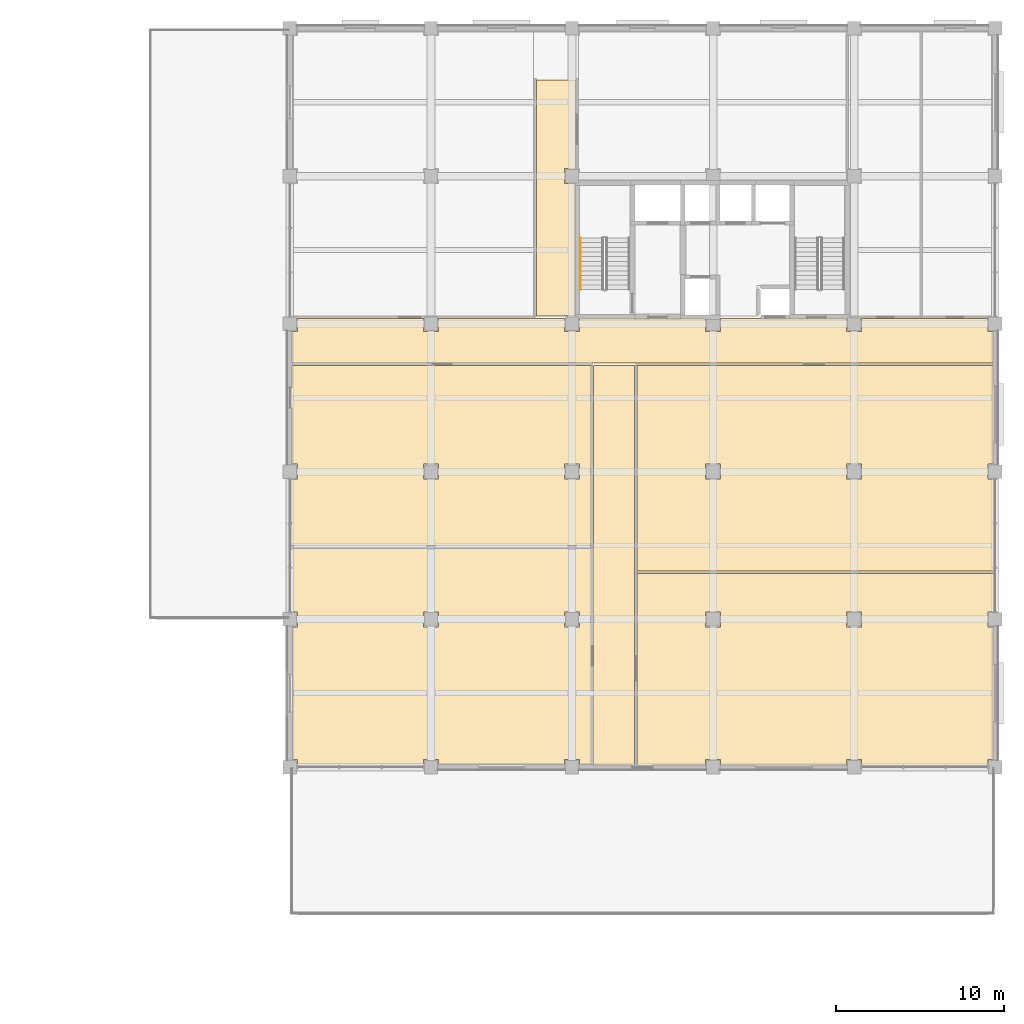
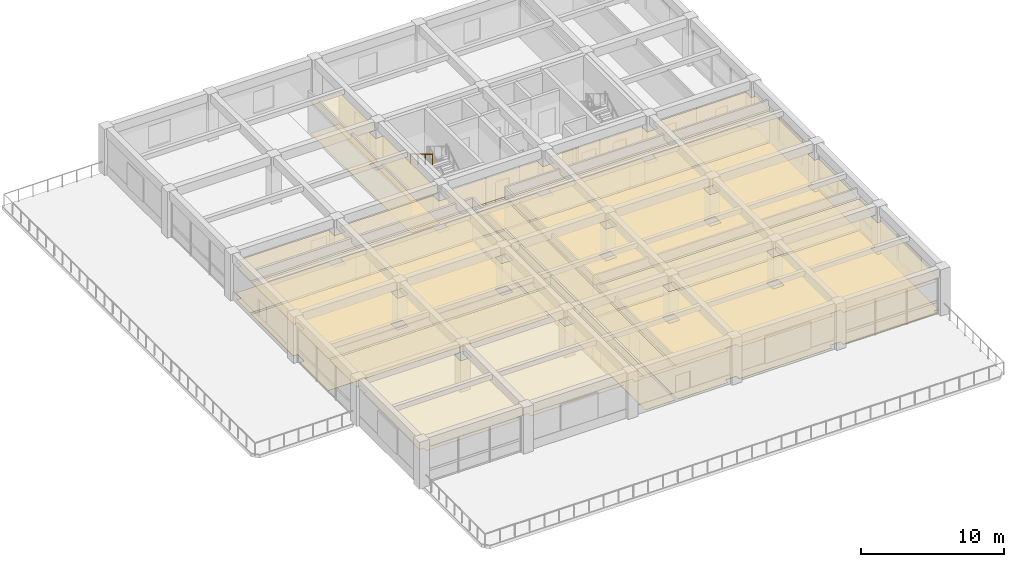
# One storey, part 47 of 49: 13 coverings, 1 railing.
"""IFC4 building model written with IfcOpenShell, lengths in metres."""

from ifc_helpers import new_model, si_unit, direction, frame, origin, origin_2d, place, context, subcontext, project, spatial, polyline, circle, outline, extrude, material, layer, layer_set, type_object, element, save


model = new_model("IFC4")

# Units and contexts
model_context = context("Model", 3, precision=1e-05, world=origin(), true_north=direction((0.0, 1.0)))
body_context = subcontext(model_context, "Body", "Model", "MODEL_VIEW")
ifc_project = project(units=[si_unit("LENGTHUNIT", "METRE"), si_unit("AREAUNIT", "SQUARE_METRE"), si_unit("VOLUMEUNIT", "CUBIC_METRE"), si_unit("PLANEANGLEUNIT", "RADIAN"), si_unit("MASSUNIT", "GRAM", prefix="KILO")], contexts=[model_context])

# Site, building, storey
site_placement = place(None, origin())
site = spatial("IfcSite", under=ifc_project, at=site_placement, CompositionType="ELEMENT")
building_placement = place(site_placement, origin())
building = spatial("IfcBuilding", under=site, at=building_placement, Name="Kemercrest Conservatory and Botanical Centre", CompositionType="ELEMENT")
storey_placement = place(building_placement, frame((0.0, 0.0, 13.199951171875)))
storey = spatial("IfcBuildingStorey", under=building, at=storey_placement, Name="L03", CompositionType="ELEMENT", Elevation=13.199951171875)

# Coverings
ifc_material_1 = material(Name="Perforated acoustic gypsum and mineral-fibre suspended ceiling", Category="gypsum")
ifc_layer_1 = layer(ifc_material_1, 0.034912109375)
ifc_layer_set_1 = layer_set([ifc_layer_1], Name="Perforated acoustic gypsum and mineral-fibre suspended ceiling")
covering_type_1 = type_object("IfcCoveringType", Name="CV-CLG035", PredefinedType="CEILING", material=ifc_layer_set_1)
covering_1_placement = place(storey_placement, frame((0.0, 0.0, 2.699951171875)))
element("IfcCovering", 1, at=covering_1_placement, inside=storey, type_object=covering_type_1, Name="Level L03 Research Corridor suspended acoustic ceiling", PredefinedType="CEILING", context=body_context, shape_type="SweptSolid", body=[
    extrude(outline(polyline([(134.080078125, 102.47998046875), (175.919921875, 102.47998046875), (175.919921875, 104.360107421875), (175.56005859375, 104.360107421875), (175.56005859375, 105.1201171875), (168.0400390625, 105.1201171875), (168.0400390625, 104.360107421875), (167.159912109375, 104.360107421875), (167.159912109375, 105.1201171875), (159.639892578125, 105.1201171875), (159.639892578125, 104.360107421875), (158.760009765625, 104.360107421875), (158.760009765625, 105.1201171875), (151.239990234375, 105.1201171875), (151.239990234375, 104.360107421875), (150.360107421875, 104.360107421875), (150.360107421875, 105.1201171875), (142.840087890625, 105.1201171875), (142.840087890625, 104.360107421875), (141.9599609375, 104.360107421875), (141.9599609375, 105.1201171875), (134.43994140625, 105.1201171875), (134.43994140625, 104.360107421875), (134.080078125, 104.360107421875), (134.080078125, 102.47998046875)])), origin(), (0.0, 0.0, 1.0), 0.03515625),
])
covering_2_placement = place(storey_placement, frame((0.0, 0.0, 2.699951171875)))
element("IfcCovering", 2, at=covering_2_placement, inside=storey, type_object=covering_type_1, Name="South Lab Corridor suspended acoustic ceiling", PredefinedType="CEILING", context=body_context, shape_type="SweptSolid", body=[
    extrude(outline(polyline([(152.080078125, 78.47998046875), (154.52001953125, 78.47998046875), (154.52001953125, 102.320068359375), (152.080078125, 102.320068359375), (152.080078125, 78.47998046875)])), origin(), (0.0, 0.0, 1.0), 0.03515625),
])
covering_3_placement = place(storey_placement, frame((0.0, 0.0, 2.699951171875)))
element("IfcCovering", 3, at=covering_3_placement, inside=storey, type_object=covering_type_1, Name="Plant Pathology Research Laboratory suspended acoustic ceiling", PredefinedType="CEILING", context=body_context, shape_type="SweptSolid", body=[
    extrude(outline(polyline([(150.360107421875, 78.840087890625), (151.239990234375, 78.840087890625), (151.239990234375, 78.47998046875), (151.919921875, 78.47998046875), (151.919921875, 91.419921875), (134.080078125, 91.419921875), (134.080078125, 87.639892578125), (134.43994140625, 87.639892578125), (134.43994140625, 86.760009765625), (134.080078125, 86.760009765625), (134.080078125, 78.840087890625), (134.43994140625, 78.840087890625), (134.43994140625, 78.47998046875), (141.9599609375, 78.47998046875), (141.9599609375, 78.840087890625), (142.840087890625, 78.840087890625), (142.840087890625, 78.47998046875), (150.360107421875, 78.47998046875), (150.360107421875, 78.840087890625)]), holes=[polyline([(151.239990234375, 87.639892578125), (151.239990234375, 86.760009765625), (150.360107421875, 86.760009765625), (150.360107421875, 87.639892578125), (151.239990234375, 87.639892578125)]), polyline([(142.840087890625, 87.639892578125), (142.840087890625, 86.760009765625), (141.9599609375, 86.760009765625), (141.9599609375, 87.639892578125), (142.840087890625, 87.639892578125)])]), origin(), (0.0, 0.0, 1.0), 0.03515625),
])
covering_4_placement = place(storey_placement, frame((0.0, 0.0, 2.699951171875)))
element("IfcCovering", 4, at=covering_4_placement, inside=storey, type_object=covering_type_1, Name="Tissue Culture Research Laboratory suspended acoustic ceiling", PredefinedType="CEILING", context=body_context, shape_type="SweptSolid", body=[
    extrude(outline(polyline([(134.43994140625, 95.56005859375), (134.080078125, 95.56005859375), (134.080078125, 91.580078125), (151.919921875, 91.580078125), (151.919921875, 102.320068359375), (134.080078125, 102.320068359375), (134.080078125, 96.43994140625), (134.43994140625, 96.43994140625), (134.43994140625, 95.56005859375)]), holes=[polyline([(151.239990234375, 96.43994140625), (151.239990234375, 95.56005859375), (150.360107421875, 95.56005859375), (150.360107421875, 96.43994140625), (151.239990234375, 96.43994140625)]), polyline([(142.840087890625, 96.43994140625), (142.840087890625, 95.56005859375), (141.9599609375, 95.56005859375), (141.9599609375, 96.43994140625), (142.840087890625, 96.43994140625)])]), origin(), (0.0, 0.0, 1.0), 0.03515625),
])
covering_5_placement = place(storey_placement, frame((0.0, 0.0, 2.699951171875)))
element("IfcCovering", 5, at=covering_5_placement, inside=storey, type_object=covering_type_1, Name="Botanical Seminar and Terrace Lounge suspended acoustic ceiling", PredefinedType="CEILING", context=body_context, shape_type="SweptSolid", body=[
    extrude(outline(polyline([(167.159912109375, 78.840087890625), (168.0400390625, 78.840087890625), (168.0400390625, 78.47998046875), (175.56005859375, 78.47998046875), (175.56005859375, 78.840087890625), (175.919921875, 78.840087890625), (175.919921875, 86.760009765625), (175.56005859375, 86.760009765625), (175.56005859375, 87.639892578125), (175.919921875, 87.639892578125), (175.919921875, 89.919921875), (154.679931640625, 89.919921875), (154.679931640625, 78.47998046875), (158.760009765625, 78.47998046875), (158.760009765625, 78.840087890625), (159.639892578125, 78.840087890625), (159.639892578125, 78.47998046875), (167.159912109375, 78.47998046875), (167.159912109375, 78.840087890625)]), holes=[polyline([(167.159912109375, 87.639892578125), (168.0400390625, 87.639892578125), (168.0400390625, 86.760009765625), (167.159912109375, 86.760009765625), (167.159912109375, 87.639892578125)]), polyline([(159.639892578125, 87.639892578125), (159.639892578125, 86.760009765625), (158.760009765625, 86.760009765625), (158.760009765625, 87.639892578125), (159.639892578125, 87.639892578125)])]), origin(), (0.0, 0.0, 1.0), 0.03515625),
])
covering_6_placement = place(storey_placement, frame((0.0, 0.0, 2.699951171875)))
element("IfcCovering", 6, at=covering_6_placement, inside=storey, type_object=covering_type_1, Name="Bioinformatics Studio suspended acoustic ceiling", PredefinedType="CEILING", context=body_context, shape_type="SweptSolid", body=[
    extrude(outline(polyline([(175.919921875, 102.320068359375), (154.679931640625, 102.320068359375), (154.679931640625, 90.080078125), (175.919921875, 90.080078125), (175.919921875, 95.56005859375), (175.56005859375, 95.56005859375), (175.56005859375, 96.43994140625), (175.919921875, 96.43994140625), (175.919921875, 102.320068359375)]), holes=[polyline([(168.0400390625, 96.43994140625), (168.0400390625, 95.56005859375), (167.159912109375, 95.56005859375), (167.159912109375, 96.43994140625), (168.0400390625, 96.43994140625)]), polyline([(159.639892578125, 96.43994140625), (159.639892578125, 95.56005859375), (158.760009765625, 95.56005859375), (158.760009765625, 96.43994140625), (159.639892578125, 96.43994140625)])]), origin(), (0.0, 0.0, 1.0), 0.03515625),
])
covering_7_placement = place(storey_placement, frame((0.0, 0.0, 2.699951171875)))
element("IfcCovering", 7, at=covering_7_placement, inside=storey, type_object=covering_type_1, Name="North Core Lobby Branch suspended acoustic ceiling", PredefinedType="CEILING", context=body_context, shape_type="SweptSolid", body=[
    extrude(outline(polyline([(148.679931640625, 105.280029296875), (151.02001953125, 105.280029296875), (151.02001953125, 113.159912109375), (150.360107421875, 113.159912109375), (150.360107421875, 114.0400390625), (151.02001953125, 114.0400390625), (151.02001953125, 119.320068359375), (148.679931640625, 119.320068359375), (148.679931640625, 105.280029296875)])), origin(), (0.0, 0.0, 1.0), 0.03515625),
])
ifc_material_2 = material(Name="Polished limestone terrazzo and seamless laboratory epoxy flooring", Category="masonry")
ifc_layer_2 = layer(ifc_material_2, 0.02001953125)
ifc_layer_set_2 = layer_set([ifc_layer_2], Name="Polished limestone terrazzo and seamless laboratory epoxy flooring")
covering_type_2 = type_object("IfcCoveringType", Name="CV-FLR020", PredefinedType="FLOORING", material=ifc_layer_set_2)
covering_8_placement = place(storey_placement, origin())
element("IfcCovering", 8, at=covering_8_placement, inside=storey, type_object=covering_type_2, Name="Level L03 Research Corridor floor finish", PredefinedType="FLOORING", context=body_context, shape_type="SweptSolid", body=[
    extrude(outline(polyline([(134.080078125, 102.47998046875), (175.919921875, 102.47998046875), (175.919921875, 104.360107421875), (175.56005859375, 104.360107421875), (175.56005859375, 105.1201171875), (168.0400390625, 105.1201171875), (168.0400390625, 104.360107421875), (167.159912109375, 104.360107421875), (167.159912109375, 105.1201171875), (159.639892578125, 105.1201171875), (159.639892578125, 104.360107421875), (158.760009765625, 104.360107421875), (158.760009765625, 105.1201171875), (151.239990234375, 105.1201171875), (151.239990234375, 104.360107421875), (150.360107421875, 104.360107421875), (150.360107421875, 105.1201171875), (142.840087890625, 105.1201171875), (142.840087890625, 104.360107421875), (141.9599609375, 104.360107421875), (141.9599609375, 105.1201171875), (134.43994140625, 105.1201171875), (134.43994140625, 104.360107421875), (134.080078125, 104.360107421875), (134.080078125, 102.47998046875)])), origin(), (0.0, 0.0, 1.0), 0.02001953125),
])
covering_9_placement = place(storey_placement, origin())
element("IfcCovering", 9, at=covering_9_placement, inside=storey, type_object=covering_type_2, Name="South Lab Corridor floor finish", PredefinedType="FLOORING", context=body_context, shape_type="SweptSolid", body=[
    extrude(outline(polyline([(152.080078125, 78.47998046875), (154.52001953125, 78.47998046875), (154.52001953125, 102.320068359375), (152.080078125, 102.320068359375), (152.080078125, 78.47998046875)])), origin(), (0.0, 0.0, 1.0), 0.02001953125),
])
covering_10_placement = place(storey_placement, origin())
element("IfcCovering", 10, at=covering_10_placement, inside=storey, type_object=covering_type_2, Name="Tissue Culture Research Laboratory floor finish", PredefinedType="FLOORING", context=body_context, shape_type="SweptSolid", body=[
    extrude(outline(polyline([(134.43994140625, 95.56005859375), (134.080078125, 95.56005859375), (134.080078125, 91.580078125), (151.919921875, 91.580078125), (151.919921875, 102.320068359375), (134.080078125, 102.320068359375), (134.080078125, 96.43994140625), (134.43994140625, 96.43994140625), (134.43994140625, 95.56005859375)]), holes=[polyline([(151.239990234375, 96.43994140625), (151.239990234375, 95.56005859375), (150.360107421875, 95.56005859375), (150.360107421875, 96.43994140625), (151.239990234375, 96.43994140625)]), polyline([(142.840087890625, 96.43994140625), (142.840087890625, 95.56005859375), (141.9599609375, 95.56005859375), (141.9599609375, 96.43994140625), (142.840087890625, 96.43994140625)])]), origin(), (0.0, 0.0, 1.0), 0.02001953125),
])
covering_11_placement = place(storey_placement, origin())
element("IfcCovering", 11, at=covering_11_placement, inside=storey, type_object=covering_type_2, Name="Botanical Seminar and Terrace Lounge floor finish", PredefinedType="FLOORING", context=body_context, shape_type="SweptSolid", body=[
    extrude(outline(polyline([(167.159912109375, 78.840087890625), (168.0400390625, 78.840087890625), (168.0400390625, 78.47998046875), (175.56005859375, 78.47998046875), (175.56005859375, 78.840087890625), (175.919921875, 78.840087890625), (175.919921875, 86.760009765625), (175.56005859375, 86.760009765625), (175.56005859375, 87.639892578125), (175.919921875, 87.639892578125), (175.919921875, 89.919921875), (154.679931640625, 89.919921875), (154.679931640625, 78.47998046875), (158.760009765625, 78.47998046875), (158.760009765625, 78.840087890625), (159.639892578125, 78.840087890625), (159.639892578125, 78.47998046875), (167.159912109375, 78.47998046875), (167.159912109375, 78.840087890625)]), holes=[polyline([(167.159912109375, 87.639892578125), (168.0400390625, 87.639892578125), (168.0400390625, 86.760009765625), (167.159912109375, 86.760009765625), (167.159912109375, 87.639892578125)]), polyline([(159.639892578125, 87.639892578125), (159.639892578125, 86.760009765625), (158.760009765625, 86.760009765625), (158.760009765625, 87.639892578125), (159.639892578125, 87.639892578125)])]), origin(), (0.0, 0.0, 1.0), 0.02001953125),
])
covering_12_placement = place(storey_placement, origin())
element("IfcCovering", 12, at=covering_12_placement, inside=storey, type_object=covering_type_2, Name="Bioinformatics Studio floor finish", PredefinedType="FLOORING", context=body_context, shape_type="SweptSolid", body=[
    extrude(outline(polyline([(175.919921875, 102.320068359375), (154.679931640625, 102.320068359375), (154.679931640625, 90.080078125), (175.919921875, 90.080078125), (175.919921875, 95.56005859375), (175.56005859375, 95.56005859375), (175.56005859375, 96.43994140625), (175.919921875, 96.43994140625), (175.919921875, 102.320068359375)]), holes=[polyline([(168.0400390625, 96.43994140625), (168.0400390625, 95.56005859375), (167.159912109375, 95.56005859375), (167.159912109375, 96.43994140625), (168.0400390625, 96.43994140625)]), polyline([(159.639892578125, 96.43994140625), (159.639892578125, 95.56005859375), (158.760009765625, 95.56005859375), (158.760009765625, 96.43994140625), (159.639892578125, 96.43994140625)])]), origin(), (0.0, 0.0, 1.0), 0.02001953125),
])
covering_13_placement = place(storey_placement, origin())
element("IfcCovering", 13, at=covering_13_placement, inside=storey, type_object=covering_type_2, Name="North Core Lobby Branch floor finish", PredefinedType="FLOORING", context=body_context, shape_type="SweptSolid", body=[
    extrude(outline(polyline([(148.679931640625, 105.280029296875), (151.02001953125, 105.280029296875), (151.02001953125, 113.159912109375), (150.360107421875, 113.159912109375), (150.360107421875, 114.0400390625), (151.02001953125, 114.0400390625), (151.02001953125, 119.320068359375), (148.679931640625, 119.320068359375), (148.679931640625, 105.280029296875)])), origin(), (0.0, 0.0, 1.0), 0.02001953125),
])

# Railing
ifc_material_3 = material(Name="Brushed stainless steel wall-mounted handrail", Category="steel")
railing_type = type_object("IfcRailingType", Name="HR-STR090", PredefinedType="HANDRAIL", material=ifc_material_3)
railing_placement = place(storey_placement, frame((151.31005859375, 109.919921875, 2.166748046875)))
element("IfcRailing", 14, at=railing_placement, inside=storey, type_object=railing_type, Name="L03 ST-V4A stair handrail 2", PredefinedType="HANDRAIL", context=body_context, shape_type="SweptSolid", body=[
    extrude(circle(Radius=0.02392578125, at=origin_2d()), frame((0.0, 0.0, 0.8759765625), z_axis=(0.0, -0.859290745958, 0.51148745235), x_axis=(1.0, 0.0, 0.0)), (0.0, 0.0, 1.0), 3.584228515625),
    extrude(circle(Radius=0.02099609375, at=origin_2d()), origin(), (0.0, 0.0, 1.0), 0.851806640625),
    extrude(circle(Radius=0.02099609375, at=origin_2d()), frame((0.0, -1.026611328125, 0.611083984375)), (0.0, 0.0, 1.0), 0.851806640625),
    extrude(circle(Radius=0.02099609375, at=origin_2d()), frame((0.0, -2.05322265625, 1.22216796875)), (0.0, 0.0, 1.0), 0.851806640625),
    extrude(circle(Radius=0.02099609375, at=origin_2d()), frame((0.0, -3.079833984375, 1.833251953125)), (0.0, 0.0, 1.0), 0.851806640625),
])

save(model, "model.ifc")
